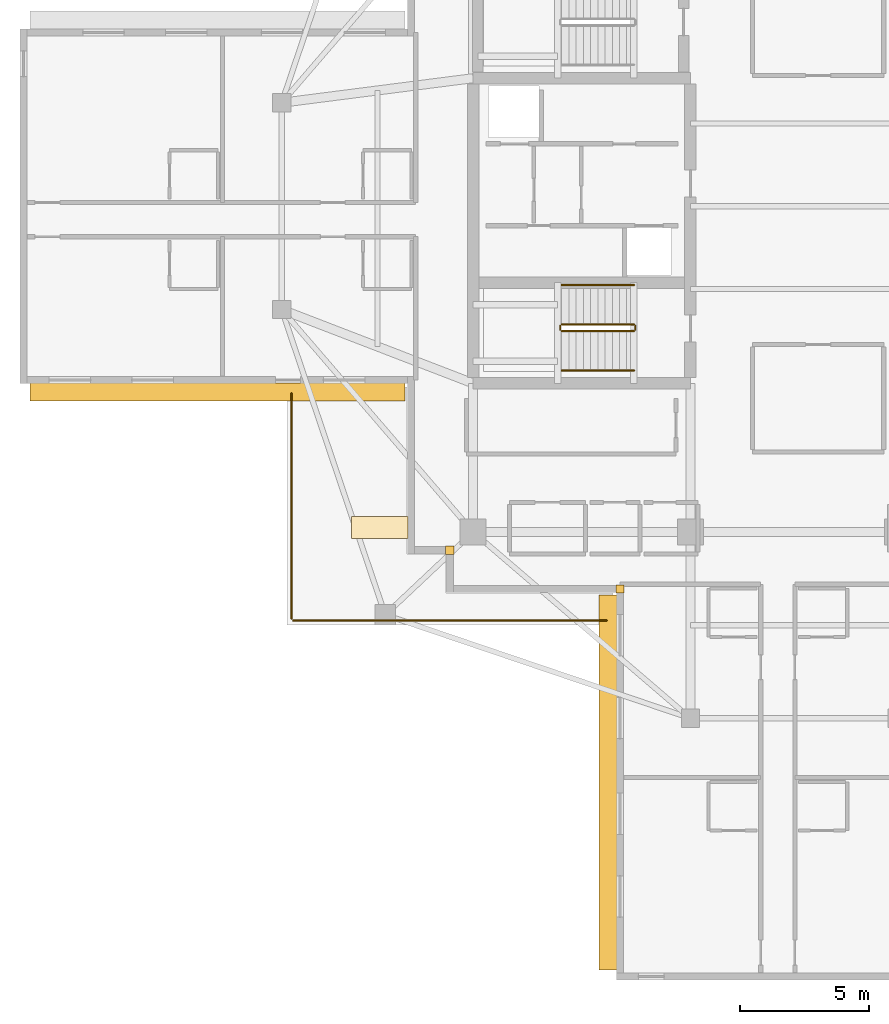
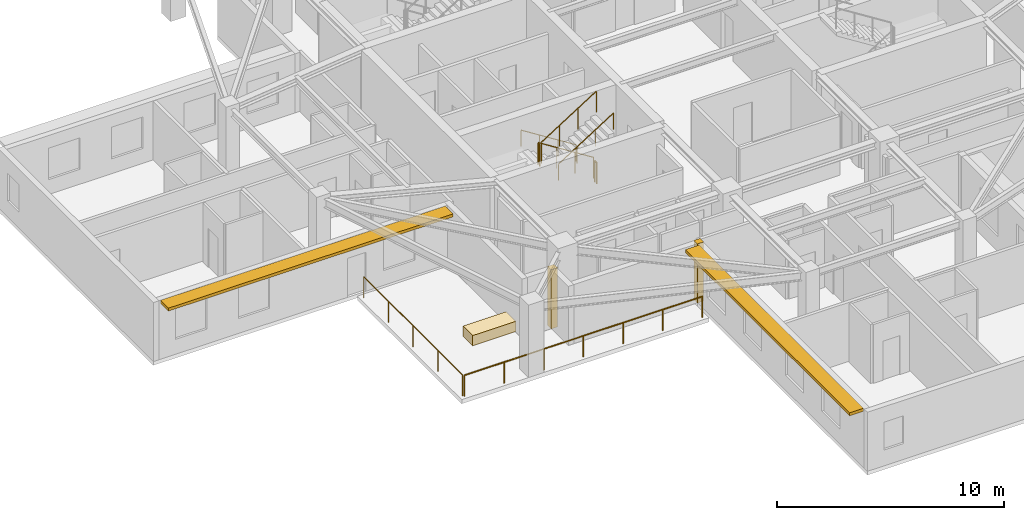
# One storey, part 9 of 12: 8 railings, 3 coverings, 2 shading devices.
"""IFC4 building model written with IfcOpenShell, lengths in metres."""

import ifcopenshell
import ifcopenshell.guid

model = None  # the IFC model being written
_history = None  # IfcOwnerHistory: only IFC2X3 demands one
_inside = {}  # id of a spatial element -> (the spatial element, [elements in it])
_under = {}  # id of a project, library or spatial element -> (it, [spatial elements below it])
_declared = {}  # id of a project -> (the project, [libraries it declares])
_typed = {}  # id of a type object -> (the type object, [elements of that type])
_made_of = {}  # id of a material, layer set ... -> (it, [elements and type objects made of it])


def new_model(schema):
    """Start an empty IFC model of exactly this schema.

    Asked for "IFC4X3", IfcOpenShell would pick the latest addendum, in which some entities
    have other attributes; the version numbers below select the first issue.
    IFC2X3 requires an IfcOwnerHistory on every rooted entity: one is made here for all.
    """
    global model, _history
    if schema == "IFC4X3":
        model = ifcopenshell.file(schema_version=(4, 3, 0, 0))
    else:
        model = ifcopenshell.file(schema=schema)
    _inside.clear()
    _under.clear()
    _declared.clear()
    _typed.clear()
    _made_of.clear()
    _history = None
    if model.schema == "IFC2X3":
        org = make("IfcOrganization", Name="unknown")
        user = make(
            "IfcPersonAndOrganization",
            ThePerson=make("IfcPerson", FamilyName="unknown"),
            TheOrganization=org,
        )
        app = make(
            "IfcApplication",
            ApplicationDeveloper=org,
            Version="unknown",
            ApplicationFullName="unknown",
            ApplicationIdentifier="unknown",
        )
        _history = make(
            "IfcOwnerHistory",
            OwningUser=user,
            OwningApplication=app,
            ChangeAction="ADDED",
            CreationDate=0,
        )
    return model


def make(cls, **values):
    """One entity of the class cls with the attributes given. An attribute that is None is left unset."""
    return model.create_entity(
        cls, **{name: value for name, value in values.items() if value is not None}
    )


def rooted(cls, **values):
    """An entity with a GlobalId (a new one), such as an element, a storey or a relation."""
    return make(cls, GlobalId=ifcopenshell.guid.new(), OwnerHistory=_history, **values)


def si_unit(unit_type, name, prefix=None):
    """IfcSIUnit, for example si_unit("LENGTHUNIT", "METRE", prefix="MILLI")."""
    return make("IfcSIUnit", UnitType=unit_type, Prefix=prefix, Name=name)


def assignment(units):
    """IfcUnitAssignment: the units of a project."""
    return None if units is None else make("IfcUnitAssignment", Units=units)


def point(xyz):
    """IfcCartesianPoint."""
    return None if xyz is None else make("IfcCartesianPoint", Coordinates=xyz)


def direction(xyz):
    """IfcDirection."""
    return None if xyz is None else make("IfcDirection", DirectionRatios=xyz)


def frame(location, z_axis=None, x_axis=None):
    """IfcAxis2Placement3D, a coordinate frame: its origin and axes. An axis left out is left unset."""
    return make(
        "IfcAxis2Placement3D",
        Location=point(location),
        Axis=direction(z_axis),
        RefDirection=direction(x_axis),
    )


def frame_2d(location, x_axis=None):
    """IfcAxis2Placement2D, a coordinate frame in the plane: its origin and x axis."""
    return make(
        "IfcAxis2Placement2D", Location=point(location), RefDirection=direction(x_axis)
    )


def origin():
    """The frame at (0, 0, 0) with its axes left unset."""
    return frame((0.0, 0.0, 0.0))


def origin_2d():
    """The frame at (0, 0) in the plane with its x axis left unset."""
    return frame_2d((0.0, 0.0))


def place(relative_to, where):
    """IfcLocalPlacement: puts the frame where relative to a parent placement (None: the world)."""
    return make(
        "IfcLocalPlacement", PlacementRelTo=relative_to, RelativePlacement=where
    )


def context(
    kind, dimensions, precision=None, world=None, true_north=None, identifier=None
):
    """IfcGeometricRepresentationContext, for example the 3D "Model" context."""
    return make(
        "IfcGeometricRepresentationContext",
        ContextIdentifier=identifier,
        ContextType=kind,
        CoordinateSpaceDimension=dimensions,
        Precision=precision,
        WorldCoordinateSystem=world,
        TrueNorth=true_north,
    )


def subcontext(parent, identifier, kind, view, scale=None):
    """IfcGeometricRepresentationSubContext, for example "Body" below "Model"."""
    return make(
        "IfcGeometricRepresentationSubContext",
        ContextIdentifier=identifier,
        ContextType=kind,
        ParentContext=parent,
        TargetScale=scale,
        TargetView=view,
    )


def project(units=None, contexts=None):
    """IfcProject with its units and contexts."""
    return rooted(
        "IfcProject",
        Name="project",
        RepresentationContexts=contexts,
        UnitsInContext=assignment(units),
    )


def spatial(cls, under=None, at=None, **own):
    """A site, building, storey or space (cls), placed at a placement, below another one or the project."""
    s = rooted(cls, ObjectPlacement=at, **own)
    if under is not None:
        _under.setdefault(under.id(), (under, []))[1].append(s)
    return s


def profile(cls, at=None, kind="AREA", **sizes):
    """A parametric profile (cls). Its sizes go by their IFC names, for example OverallWidth=200.0."""
    return make(cls, ProfileType=kind, Position=at, **sizes)


def rectangle(**sizes):
    """IfcRectangleProfileDef."""
    return profile("IfcRectangleProfileDef", **sizes)


def circle(**sizes):
    """IfcCircleProfileDef."""
    return profile("IfcCircleProfileDef", **sizes)


def extrude(swept, where, along, depth):
    """IfcExtrudedAreaSolid: the profile swept, set in the frame where, extruded along a direction by depth."""
    return make(
        "IfcExtrudedAreaSolid",
        SweptArea=swept,
        Position=where,
        ExtrudedDirection=direction(along),
        Depth=depth,
    )


def shape(context_of_items, identifier, shape_type, items):
    """IfcShapeRepresentation: the items that make up one representation, for example the "Body"."""
    return make(
        "IfcShapeRepresentation",
        ContextOfItems=context_of_items,
        RepresentationIdentifier=identifier,
        RepresentationType=shape_type,
        Items=items,
    )


def material(Name=None, Category=None):
    """IfcMaterial."""
    return make("IfcMaterial", Name=Name, Category=Category)


def layer(
    of_material, thickness, ventilated=None, Name=None, Category=None, Priority=None
):
    """IfcMaterialLayer: one layer of a wall or slab, of a material (None: an air gap)."""
    return make(
        "IfcMaterialLayer",
        Material=of_material,
        LayerThickness=thickness,
        IsVentilated=ventilated,
        Name=Name,
        Category=Category,
        Priority=Priority,
    )


def layer_set(layers, Name=None):
    """IfcMaterialLayerSet."""
    return make("IfcMaterialLayerSet", MaterialLayers=layers, LayerSetName=Name)


def made_of(thing, what):
    """Note that an element or type object is made of a material, layer set ...; save() writes the relation."""
    if what is not None:
        _made_of.setdefault(what.id(), (what, []))[1].append(thing)
    return thing


def type_object(cls, material=None, **own):
    """A type object (cls), such as IfcWallType, which elements share."""
    return made_of(rooted(cls, **own), material)


def element(
    cls,
    number,
    at=None,
    inside=None,
    cuts=None,
    type_object=None,
    material=None,
    context=None,
    identifier="Body",
    shape_type=None,
    held_by="IfcProductDefinitionShape",
    body=None,
    shapes=None,
    **own,
):
    """One element of the class cls, such as IfcWall. Its Tag is "e" and its number.

    at: its placement. inside: the storey or other place that contains it. cuts: it is an
    opening in that element (IfcRelVoidsElement). A single representation is given by context,
    identifier, shape_type and body (its items); several are given by shapes. held_by: the class
    of the entity that holds the representations. save() writes the other relations.
    """
    e = rooted(cls, Tag="e%d" % number, ObjectPlacement=at, **own)
    if body is not None:
        shapes = [shape(context, identifier, shape_type, body)]
    if shapes is not None:
        e.Representation = make(held_by, Representations=shapes)
    if inside is not None:
        _inside.setdefault(inside.id(), (inside, []))[1].append(e)
    if cuts is not None:
        rooted(
            "IfcRelVoidsElement", RelatingBuildingElement=cuts, RelatedOpeningElement=e
        )
    if type_object is not None:
        _typed.setdefault(type_object.id(), (type_object, []))[1].append(e)
    return made_of(e, material)


def aggregate(whole, parts):
    """IfcRelAggregates: a whole, such as a stair, and the parts it consists of."""
    return rooted("IfcRelAggregates", RelatingObject=whole, RelatedObjects=parts)


def save(model, path):
    """Write the relations noted so far, then the file.

    IfcRelAggregates (storeys below a building ...), IfcRelContainedInSpatialStructure (elements
    in a storey), IfcRelDefinesByType, IfcRelAssociatesMaterial and IfcRelDeclares: one each for
    every whole, place, type object, material and project.
    """
    for whole, parts in _under.values():
        aggregate(whole, parts)
    for where, things in _inside.values():
        rooted(
            "IfcRelContainedInSpatialStructure",
            RelatedElements=things,
            RelatingStructure=where,
        )
    for kind, things in _typed.values():
        rooted("IfcRelDefinesByType", RelatedObjects=things, RelatingType=kind)
    for what, things in _made_of.values():
        rooted("IfcRelAssociatesMaterial", RelatedObjects=things, RelatingMaterial=what)
    for by, libraries in _declared.values():
        rooted("IfcRelDeclares", RelatingContext=by, RelatedDefinitions=libraries)
    model.write(path)


model = new_model("IFC4")

# Units and contexts
model_context = context("Model", 3, precision=1e-05, world=origin(), true_north=direction((0.0, 1.0)))
body_context = subcontext(model_context, "Body", "Model", "MODEL_VIEW")
ifc_project = project(units=[si_unit("LENGTHUNIT", "METRE"), si_unit("AREAUNIT", "SQUARE_METRE"), si_unit("VOLUMEUNIT", "CUBIC_METRE"), si_unit("PLANEANGLEUNIT", "RADIAN"), si_unit("MASSUNIT", "GRAM", prefix="KILO")], contexts=[model_context])

# Site, building, storey
site_placement = place(None, origin())
site = spatial("IfcSite", under=ifc_project, at=site_placement, CompositionType="ELEMENT")
building_placement = place(site_placement, origin())
building = spatial("IfcBuilding", under=site, at=building_placement, Name="Qingluan Cross Belvedere", CompositionType="ELEMENT")
storey_placement = place(building_placement, frame((0.0, 0.0, 265.5)))
storey = spatial("IfcBuildingStorey", under=building, at=storey_placement, Name="L66", CompositionType="ELEMENT", Elevation=265.5)

# Coverings
ifc_material_1 = material(Name="Precast concrete C45", Category="concrete")
ifc_layer_1 = layer(ifc_material_1, 0.1201171875, Name="ConcreteSpandrelCladding_120")
ifc_layer_set_1 = layer_set([ifc_layer_1], Name="Precast concrete C45")
covering_type_1 = type_object("IfcCoveringType", Name="ConcreteSpandrelCladding_120", PredefinedType="CLADDING", material=ifc_layer_set_1)
for number, where, z_axis, x_axis, name in (
    (1, (-13.300048828125, -13.300048828125, 0.0), (0.0, 0.0, 1.0), (1.0, 0.0, 0.0), "Corner closure L66-SW1"),
    (2, (-6.719970703125, -14.800048828125, 0.0), (0.0, 0.0, 1.0), (1.0, 0.0, 0.0), "Corner closure L66-SW2"),
):
    element("IfcCovering", number, at=place(storey_placement, frame(where, z_axis=z_axis, x_axis=x_axis)), inside=storey, type_object=covering_type_1, Name=name, PredefinedType="CLADDING", context=body_context, shape_type="SweptSolid", body=[
        extrude(rectangle(XDim=0.320068359375, YDim=0.320068359375, at=origin_2d()), origin(), (0.0, 0.0, 1.0), 3.179931640625),
    ])

# Shading devices
ifc_material_2 = material(Name="Precast concrete C45", Category="concrete")
ifc_layer_2 = layer(ifc_material_2, 0.139892578125, Name="ConcreteSunshadeBand_700")
ifc_layer_set_2 = layer_set([ifc_layer_2], Name="Precast concrete C45")
shading_device_type = type_object("IfcShadingDeviceType", Name="ConcreteSunshadeBand_700", PredefinedType="USERDEFINED", material=ifc_layer_set_2)
for number, where, z_axis, x_axis, name in (
    (3, (-22.2900390625, -7.18994140625, 3.0), (0.0, 0.0, 1.0), (1.0, 0.0, 0.0), "Concrete SUNSHADE L66-WB"),
    (4, (-7.18994140625, -22.2900390625, 3.0), (0.0, 0.0, 1.0), (0.0, -1.0, 0.0), "Concrete SUNSHADE L66-SA"),
):
    element("IfcShadingDevice", number, at=place(storey_placement, frame(where, z_axis=z_axis, x_axis=x_axis)), inside=storey, type_object=shading_device_type, Name=name, ObjectType="SUNSHADE", PredefinedType="USERDEFINED", context=body_context, shape_type="SweptSolid", body=[
        extrude(rectangle(XDim=14.5, YDim=0.699951171875, at=origin_2d()), origin(), (0.0, 0.0, 1.0), 0.159912109375),
    ])

# Railings
ifc_material_3 = material(Name="Brushed stainless steel tubular handrail", Category="steel")
railing_type_1 = type_object("IfcRailingType", Name="StairPitchHandrail_900", PredefinedType="HANDRAIL", material=ifc_material_3)
railing_1_placement = place(storey_placement, frame((-6.179931640625, -3.050048828125, 0.17724609375)))
element("IfcRailing", 5, at=railing_1_placement, inside=storey, type_object=railing_type_1, Name="L66 ST1 stair handrail 1", PredefinedType="HANDRAIL", context=body_context, shape_type="SweptSolid", body=[
    extrude(circle(Radius=0.02392578125, at=origin_2d()), frame((0.0, 0.0, 0.8759765625), z_axis=(-0.844908973607, 0.0, 0.534910110503), x_axis=(0.0, -1.0, 0.0)), (0.0, 0.0, 1.0), 3.31396484375),
    extrude(circle(Radius=0.02099609375, at=origin_2d()), origin(), (0.0, 0.0, 1.0), 0.851806640625),
    extrude(circle(Radius=0.02099609375, at=origin_2d()), frame((-0.933349609375, 0.0, 0.5908203125)), (0.0, 0.0, 1.0), 0.851806640625),
    extrude(circle(Radius=0.02099609375, at=origin_2d()), frame((-1.86669921875, 0.0, 1.181884765625)), (0.0, 0.0, 1.0), 0.851806640625),
    extrude(circle(Radius=0.02099609375, at=origin_2d()), frame((-2.800048828125, 0.0, 1.772705078125)), (0.0, 0.0, 1.0), 0.851806640625),
])
railing_2_placement = place(storey_placement, frame((-8.97998046875, -6.35009765625, 2.127197265625)))
element("IfcRailing", 6, at=railing_2_placement, inside=storey, type_object=railing_type_1, Name="L66 ST1 stair handrail 2", PredefinedType="HANDRAIL", context=body_context, shape_type="SweptSolid", body=[
    extrude(circle(Radius=0.02392578125, at=origin_2d()), frame((0.0, 0.0, 0.8759765625), z_axis=(0.844908973607, 0.0, 0.534910110503), x_axis=(0.0, 1.0, 0.0)), (0.0, 0.0, 1.0), 3.31396484375),
    extrude(circle(Radius=0.02099609375, at=origin_2d()), origin(), (0.0, 0.0, 1.0), 0.851806640625),
    extrude(circle(Radius=0.02099609375, at=origin_2d()), frame((0.933349609375, 0.0, 0.5908203125)), (0.0, 0.0, 1.0), 0.851806640625),
    extrude(circle(Radius=0.02099609375, at=origin_2d()), frame((1.86669921875, 0.0, 1.181884765625)), (0.0, 0.0, 1.0), 0.851806640625),
    extrude(circle(Radius=0.02099609375, at=origin_2d()), frame((2.800048828125, 0.0, 1.772705078125)), (0.0, 0.0, 1.0), 0.851806640625),
])
ifc_material_4 = material(Name="Painted steel stair well guard", Category="steel")
railing_type_2 = type_object("IfcRailingType", Name="StairWellGuard_1150", PredefinedType="BALUSTRADE", material=ifc_material_4)
railing_3_placement = place(storey_placement, frame((-6.179931640625, -4.570068359375, 0.17724609375)))
element("IfcRailing", 7, at=railing_3_placement, inside=storey, type_object=railing_type_2, Name="L66 ST1 stair guard 1", PredefinedType="BALUSTRADE", context=body_context, shape_type="SweptSolid", body=[
    extrude(circle(Radius=0.02392578125, at=origin_2d()), frame((0.0, 0.0, 1.1259765625), z_axis=(-0.844908973607, 0.0, 0.534910110503), x_axis=(0.0, -1.0, 0.0)), (0.0, 0.0, 1.0), 3.31396484375),
    extrude(circle(Radius=0.02099609375, at=origin_2d()), origin(), (0.0, 0.0, 1.0), 1.101806640625),
    extrude(circle(Radius=0.02099609375, at=origin_2d()), frame((-0.933349609375, 0.0, 0.5908203125)), (0.0, 0.0, 1.0), 1.101806640625),
    extrude(circle(Radius=0.02099609375, at=origin_2d()), frame((-1.86669921875, 0.0, 1.181884765625)), (0.0, 0.0, 1.0), 1.101806640625),
    extrude(circle(Radius=0.02099609375, at=origin_2d()), frame((-2.800048828125, 0.0, 1.772705078125)), (0.0, 0.0, 1.0), 1.101806640625),
])
railing_4_placement = place(storey_placement, frame((-9.030029296875, -4.6201171875, 1.949951171875)))
element("IfcRailing", 8, at=railing_4_placement, inside=storey, type_object=railing_type_2, Name="L66 ST1 stair guard 2", PredefinedType="BALUSTRADE", context=body_context, shape_type="SweptSolid", body=[
    extrude(circle(Radius=0.02392578125, at=origin_2d()), frame((0.0, 0.0, 1.1259765625), z_axis=(0.0, -1.0, 0.0), x_axis=(1.0, 0.0, 0.0)), (0.0, 0.0, 1.0), 0.159912109375),
    extrude(circle(Radius=0.02099609375, at=origin_2d()), origin(), (0.0, 0.0, 1.0), 1.101806640625),
    extrude(circle(Radius=0.02099609375, at=origin_2d()), frame((0.0, -0.159912109375, 0.0)), (0.0, 0.0, 1.0), 1.101806640625),
])
railing_5_placement = place(storey_placement, frame((-8.97998046875, -4.830078125, 2.127197265625)))
element("IfcRailing", 9, at=railing_5_placement, inside=storey, type_object=railing_type_2, Name="L66 ST1 stair guard 3", PredefinedType="BALUSTRADE", context=body_context, shape_type="SweptSolid", body=[
    extrude(circle(Radius=0.02392578125, at=origin_2d()), frame((0.0, 0.0, 1.1259765625), z_axis=(0.844908973607, 0.0, 0.534910110503), x_axis=(0.0, 1.0, 0.0)), (0.0, 0.0, 1.0), 3.31396484375),
    extrude(circle(Radius=0.02099609375, at=origin_2d()), origin(), (0.0, 0.0, 1.0), 1.101806640625),
    extrude(circle(Radius=0.02099609375, at=origin_2d()), frame((0.933349609375, 0.0, 0.5908203125)), (0.0, 0.0, 1.0), 1.101806640625),
    extrude(circle(Radius=0.02099609375, at=origin_2d()), frame((1.86669921875, 0.0, 1.181884765625)), (0.0, 0.0, 1.0), 1.101806640625),
    extrude(circle(Radius=0.02099609375, at=origin_2d()), frame((2.800048828125, 0.0, 1.772705078125)), (0.0, 0.0, 1.0), 1.101806640625),
])
railing_6_placement = place(storey_placement, frame((-6.1298828125, -4.6201171875, 0.0)))
element("IfcRailing", 10, at=railing_6_placement, inside=storey, type_object=railing_type_2, Name="L66 ST1 stair guard 4", PredefinedType="BALUSTRADE", context=body_context, shape_type="SweptSolid", body=[
    extrude(circle(Radius=0.02392578125, at=origin_2d()), frame((0.0, 0.0, 1.1259765625), z_axis=(0.0, -1.0, 0.0), x_axis=(1.0, 0.0, 0.0)), (0.0, 0.0, 1.0), 0.159912109375),
    extrude(circle(Radius=0.02099609375, at=origin_2d()), origin(), (0.0, 0.0, 1.0), 1.101806640625),
    extrude(circle(Radius=0.02099609375, at=origin_2d()), frame((0.0, -0.159912109375, 0.0)), (0.0, 0.0, 1.0), 1.101806640625),
])
ifc_material_5 = material(Name="Laminated glass and stainless steel balustrade", Category="steel")
railing_type_3 = type_object("IfcRailingType", Name="TerraceGuardBalustrade_1150", PredefinedType="BALUSTRADE", material=ifc_material_5)
railing_7_placement = place(storey_placement, frame((-7.239990234375, -16.02001953125, 0.0)))
element("IfcRailing", 11, at=railing_7_placement, inside=storey, type_object=railing_type_3, Name="Terrace guard L66-1", PredefinedType="BALUSTRADE", context=body_context, shape_type="SweptSolid", body=[
    extrude(circle(Radius=0.02392578125, at=origin_2d()), frame((0.0, 0.0, 1.1259765625), z_axis=(-1.0, 0.0, 0.0), x_axis=(0.0, -1.0, 0.0)), (0.0, 0.0, 1.0), 12.1201171875),
    extrude(circle(Radius=0.02099609375, at=origin_2d()), origin(), (0.0, 0.0, 1.0), 1.101806640625),
    extrude(circle(Radius=0.02099609375, at=origin_2d()), frame((-2.02001953125, 0.0, 0.0)), (0.0, 0.0, 1.0), 1.101806640625),
    extrude(circle(Radius=0.02099609375, at=origin_2d()), frame((-4.0400390625, 0.0, 0.0)), (0.0, 0.0, 1.0), 1.101806640625),
    extrude(circle(Radius=0.02099609375, at=origin_2d()), frame((-6.06005859375, 0.0, 0.0)), (0.0, 0.0, 1.0), 1.101806640625),
    extrude(circle(Radius=0.02099609375, at=origin_2d()), frame((-8.080078125, 0.0, 0.0)), (0.0, 0.0, 1.0), 1.101806640625),
    extrude(circle(Radius=0.02099609375, at=origin_2d()), frame((-10.10009765625, 0.0, 0.0)), (0.0, 0.0, 1.0), 1.101806640625),
    extrude(circle(Radius=0.02099609375, at=origin_2d()), frame((-12.1201171875, 0.0, 0.0)), (0.0, 0.0, 1.0), 1.101806640625),
])
railing_8_placement = place(storey_placement, frame((-19.419921875, -15.9599609375, 0.0)))
element("IfcRailing", 12, at=railing_8_placement, inside=storey, type_object=railing_type_3, Name="Terrace guard L66-2", PredefinedType="BALUSTRADE", context=body_context, shape_type="SweptSolid", body=[
    extrude(circle(Radius=0.02392578125, at=origin_2d()), frame((0.0, 0.0, 1.1259765625), z_axis=(0.0, 1.0, 0.0), x_axis=(-1.0, 0.0, 0.0)), (0.0, 0.0, 1.0), 8.719970703125),
    extrude(circle(Radius=0.02099609375, at=origin_2d()), origin(), (0.0, 0.0, 1.0), 1.101806640625),
    extrude(circle(Radius=0.02099609375, at=origin_2d()), frame((0.0, 2.179931640625, 0.0)), (0.0, 0.0, 1.0), 1.101806640625),
    extrude(circle(Radius=0.02099609375, at=origin_2d()), frame((0.0, 4.35986328125, 0.0)), (0.0, 0.0, 1.0), 1.101806640625),
    extrude(circle(Radius=0.02099609375, at=origin_2d()), frame((0.0, 6.5400390625, 0.0)), (0.0, 0.0, 1.0), 1.101806640625),
    extrude(circle(Radius=0.02099609375, at=origin_2d()), frame((0.0, 8.719970703125, 0.0)), (0.0, 0.0, 1.0), 1.101806640625),
])

# Covering
ifc_material_6 = material(Name="Precast concrete C40", Category="concrete")
ifc_layer_3 = layer(ifc_material_6, 0.550048828125, Name="TerracePlanterBox")
ifc_layer_set_3 = layer_set([ifc_layer_3], Name="Precast concrete C40")
covering_type_2 = type_object("IfcCoveringType", Name="TerracePlanterBox", PredefinedType="USERDEFINED", material=ifc_layer_set_3)
covering_placement = place(storey_placement, frame((-16.010009765625, -12.425048828125, 0.0), z_axis=(0.0, 0.0, 1.0), x_axis=(1.0, 0.0, 0.0)))
element("IfcCovering", 13, at=covering_placement, inside=storey, type_object=covering_type_2, Name="Spiralling winter-garden planter L66", ObjectType="PLANTER", PredefinedType="USERDEFINED", context=body_context, shape_type="SweptSolid", body=[
    extrude(rectangle(XDim=2.199951171875, YDim=0.85009765625, at=origin_2d()), origin(), (0.0, 0.0, 1.0), 0.550048828125),
])

save(model, "model.ifc")
